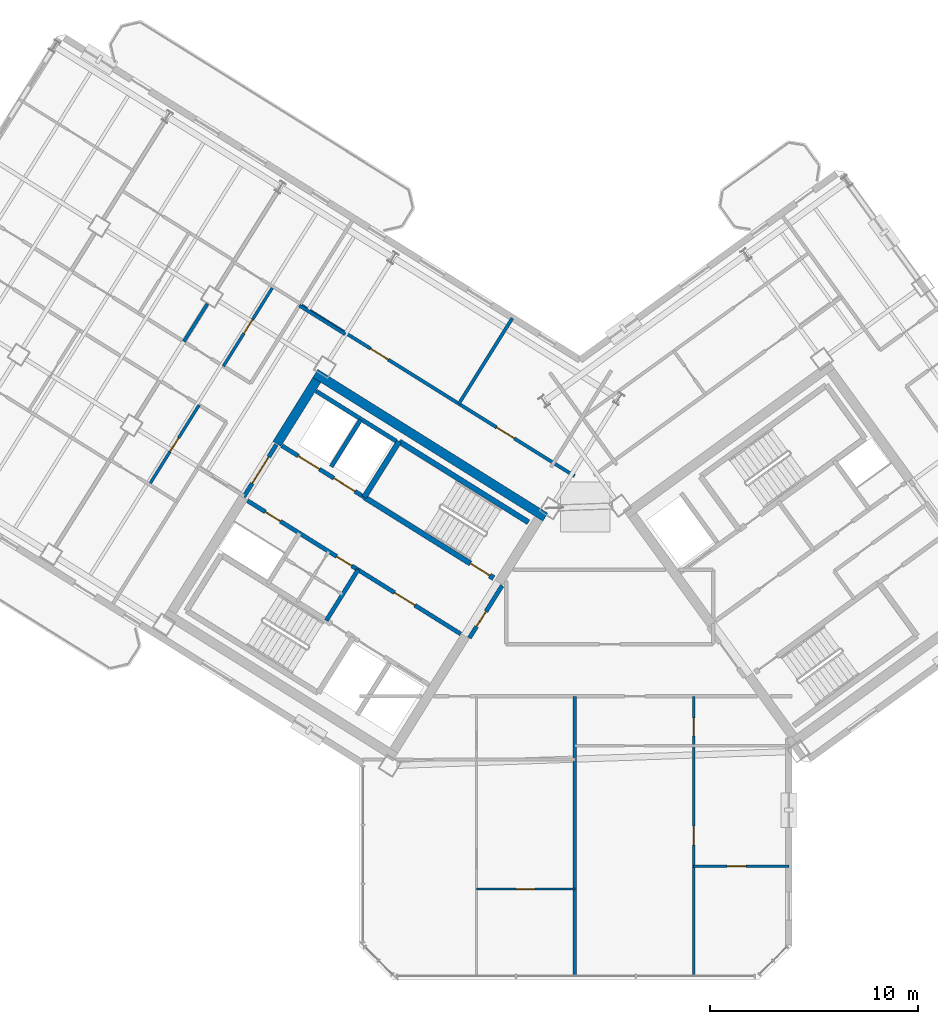
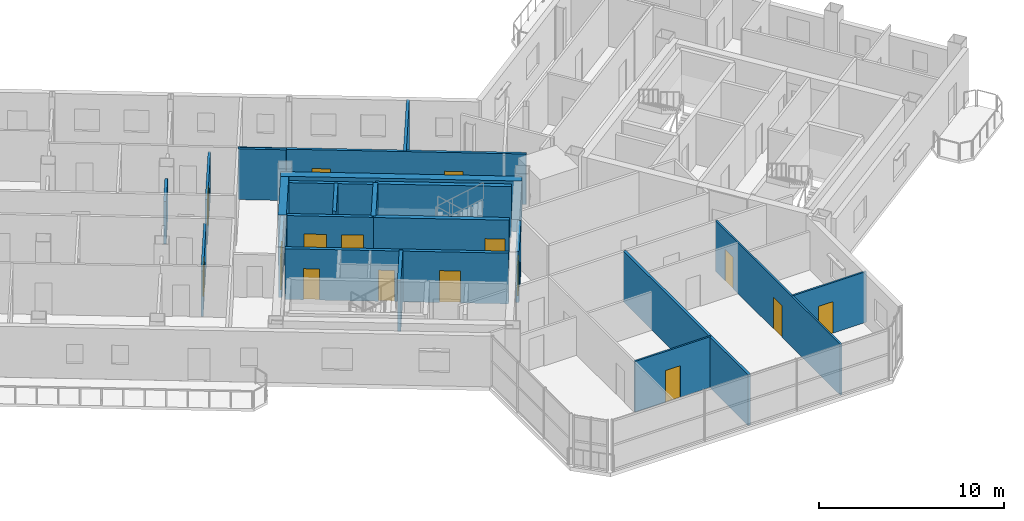
# One storey, part 14 of 23: 23 walls, 16 doors, 16 openings.
"""IFC4 building model written with IfcOpenShell, lengths in metres."""

from ifc_helpers import new_model, si_unit, direction, frame, frame_2d, origin, place, context, subcontext, project, spatial, rectangle, extrude, source, transform, mapped, material, layer, layer_set, type_object, element, fill, save


model = new_model("IFC4")

# Units and contexts
model_context = context("Model", 3, precision=1e-05, world=origin(), true_north=direction((0.0, 1.0)))
body_context = subcontext(model_context, "Body", "Model", "MODEL_VIEW")
ifc_project = project(units=[si_unit("LENGTHUNIT", "METRE"), si_unit("AREAUNIT", "SQUARE_METRE"), si_unit("VOLUMEUNIT", "CUBIC_METRE"), si_unit("PLANEANGLEUNIT", "RADIAN"), si_unit("MASSUNIT", "GRAM", prefix="KILO")], contexts=[model_context])

# Site, building, storey
site_placement = place(None, origin())
site = spatial("IfcSite", under=ifc_project, at=site_placement, CompositionType="ELEMENT")
building_placement = place(site_placement, origin())
building = spatial("IfcBuilding", under=site, at=building_placement, Name="Tlacorven Tower", CompositionType="ELEMENT")
storey_placement = place(building_placement, frame((0.0, 0.0, 218.39990234375)))
storey = spatial("IfcBuildingStorey", under=building, at=storey_placement, Name="L55", CompositionType="ELEMENT", Elevation=218.39990234375)

# Walls
ifc_material_1 = material(Name="Concrete C50/60", Category="concrete")
ifc_layer_1 = layer(ifc_material_1, 0.449951171875)
ifc_layer_set_1 = layer_set([ifc_layer_1], Name="Concrete C50/60")
wall_type_1 = type_object("IfcWallType", Name="WL-COR-450", PredefinedType="SHEAR", material=ifc_layer_set_1)
wall_1_placement = place(storey_placement, frame((40.53076171875, 24.036376953125, 0.0), z_axis=(0.0, 0.0, 1.0), x_axis=(-0.848048787466, 0.529918157905, 0.0)))
element("IfcWall", 1, at=wall_1_placement, inside=storey, type_object=wall_type_1, Name="L55 W core shear wall S1", PredefinedType="SHEAR", context=body_context, shape_type="SweptSolid", body=[
    extrude(rectangle(XDim=13.0400390625, YDim=0.449951171875, at=frame_2d((6.52001953125, 0.0))), origin(), (0.0, 0.0, 1.0), 3.35009765625),
])
wall_2_placement = place(storey_placement, frame((29.543701171875, 30.636474609375, 0.0), z_axis=(0.0, 0.0, 1.0), x_axis=(-0.529902075036, -0.848058836916, 0.0)))
element("IfcWall", 2, at=wall_2_placement, inside=storey, type_object=wall_type_1, Name="L55 W core end wall E2.1", PredefinedType="SHEAR", context=body_context, shape_type="SweptSolid", body=[
    extrude(rectangle(XDim=3.625, YDim=0.449951171875, at=frame_2d((1.8125, 0.0))), origin(), (0.0, 0.0, 1.0), 3.35009765625),
])
ifc_material_2 = material(Name="Gypsum plasterboard acoustic partition", Category="gypsum")
ifc_layer_2 = layer(ifc_material_2, 0.159912109375)
ifc_layer_set_2 = layer_set([ifc_layer_2], Name="Gypsum plasterboard acoustic partition")
wall_type_2 = type_object("IfcWallType", Name="WL-DEM-160", PredefinedType="PARTITIONING", material=ifc_layer_set_2)
wall_3_placement = place(storey_placement, frame((30.91357421875, 32.82861328125, 0.0), z_axis=(0.0, 0.0, 1.0), x_axis=(-0.848008813643, 0.529982124211, 0.0)))
element("IfcWall", 3, at=wall_3_placement, inside=storey, type_object=wall_type_2, Name="L55 partition 38", PredefinedType="PARTITIONING", context=body_context, shape_type="SweptSolid", body=[
    extrude(rectangle(XDim=2.610107421875, YDim=0.159912109375, at=frame_2d((1.30517578125, 0.0))), origin(), (0.0, 0.0, 1.0), 3.340087890625),
])
wall_4_placement = place(storey_placement, frame((24.2822265625, 34.29345703125, 0.0), z_axis=(0.0, 0.0, 1.0), x_axis=(-0.529927092104, -0.84804320471, 0.0)))
element("IfcWall", 4, at=wall_4_placement, inside=storey, type_object=wall_type_2, Name="L55 WS Demising Wall 1", PredefinedType="PARTITIONING", context=body_context, shape_type="SweptSolid", body=[
    extrude(rectangle(XDim=2.13818359375, YDim=0.159912109375, at=frame_2d((1.069091796875, 0.0))), origin(), (0.0, 0.0, 1.0), 2.8251953125),
])

# Wall, openings, doors
wall_5_placement = place(storey_placement, frame((41.93603515625, 26.011962890625, 0.0), z_axis=(0.0, 0.0, 1.0), x_axis=(-0.848051154596, 0.529914369676, 0.0)))
wall_5 = element("IfcWall", 5, at=wall_5_placement, inside=storey, type_object=wall_type_2, Name="L55 partition 58", PredefinedType="PARTITIONING", context=body_context, shape_type="SweptSolid", body=[
    extrude(rectangle(XDim=15.56982421875, YDim=0.159912109375, at=frame_2d((7.784912109375, 0.0))), origin(), (0.0, 0.0, 1.0), 3.340087890625),
])
opening_1_placement = place(wall_5_placement, frame((3.4150390625, 0.0, 0.0)))
opening_1 = element("IfcOpeningElement", 6, at=opening_1_placement, cuts=wall_5, Name="Opening D11", PredefinedType="OPENING", context=body_context, shape_type="SweptSolid", body=[
    extrude(rectangle(XDim=1.0, YDim=2.10009765625, at=frame_2d((0.5, 1.050048828125))), frame((0.0, 0.08984375, 0.0), z_axis=(0.0, -1.0, 0.0), x_axis=(1.0, 0.0, 0.0)), (0.0, 0.0, 1.0), 0.179931640625),
])
opening_2_placement = place(wall_5_placement, frame((10.56494140625, 0.0, 0.0)))
opening_2 = element("IfcOpeningElement", 7, at=opening_2_placement, cuts=wall_5, Name="Opening D11", PredefinedType="OPENING", context=body_context, shape_type="SweptSolid", body=[
    extrude(rectangle(XDim=1.0, YDim=2.10009765625, at=frame_2d((0.5, 1.050048828125))), frame((0.0, 0.08984375, 0.0), z_axis=(0.0, -1.0, 0.0), x_axis=(1.0, 0.0, 0.0)), (0.0, 0.0, 1.0), 0.179931640625),
])
ifc_material_3 = material(Name="Fire-rated steel door assembly", Category="steel")
door_type_1 = type_object("IfcDoorType", Name="DR-FLT-FD60-1000", OperationType="NOTDEFINED", PredefinedType="DOOR", material=ifc_material_3)
shared_shape_1 = source(origin(), body_context, "Body", "SweptSolid", [
    extrude(rectangle(XDim=1.0, YDim=2.10009765625, at=frame_2d((0.5, 1.050048828125))), frame((0.0, 0.02490234375, 0.0), z_axis=(0.0, -1.0, 0.0), x_axis=(1.0, 0.0, 0.0)), (0.0, 0.0, 1.0), 0.050048828125),
])
door_1_placement = place(opening_1_placement, origin())
door_1 = element("IfcDoor", 8, at=door_1_placement, inside=storey, type_object=door_type_1, Name="L55 door 038", OperationType="SINGLE_SWING_RIGHT", OverallHeight=2.10009765625, OverallWidth=1.0, PredefinedType="DOOR", context=body_context, shape_type="MappedRepresentation", body=[
    mapped(shared_shape_1, transform((0.0, 0.0, 0.0), scale=1.0)),
])
fill(opening_1, door_1)
door_2_placement = place(opening_2_placement, origin())
door_2 = element("IfcDoor", 9, at=door_2_placement, inside=storey, type_object=door_type_1, Name="L55 door 039", OperationType="SINGLE_SWING_LEFT", OverallHeight=2.10009765625, OverallWidth=1.0, PredefinedType="DOOR", context=body_context, shape_type="MappedRepresentation", body=[
    mapped(shared_shape_1, transform((0.0, 0.0, 0.0), scale=1.0)),
])
fill(opening_2, door_2)

# Walls
wall_6_placement = place(storey_placement, frame((38.943115234375, 33.60107421875, 0.0), z_axis=(0.0, 0.0, 1.0), x_axis=(-0.529949167559, -0.848029409752, 0.0)))
element("IfcWall", 10, at=wall_6_placement, inside=storey, type_object=wall_type_2, Name="L55 WC Demising Wall 1", PredefinedType="PARTITIONING", context=body_context, shape_type="SweptSolid", body=[
    extrude(rectangle(XDim=4.85009765625, YDim=0.159912109375, at=frame_2d((2.425048828125, 0.0))), origin(), (0.0, 0.0, 1.0), 3.340087890625),
])
wall_7_placement = place(storey_placement, frame((41.949951171875, 1.9599609375, 0.0), z_axis=(0.0, 0.0, 1.0), x_axis=(0.0, 1.0, 0.0)))
element("IfcWall", 11, at=wall_7_placement, inside=storey, type_object=wall_type_2, Name="L55 Knuckle Demising Wall 1", PredefinedType="PARTITIONING", context=body_context, shape_type="SweptSolid", body=[
    extrude(rectangle(XDim=13.4599609375, YDim=0.159912109375, at=frame_2d((6.72998046875, 0.0))), origin(), (0.0, 0.0, 1.0), 3.340087890625),
])

# Wall, opening, door
ifc_material_4 = material(Name="Gypsum plasterboard partition", Category="gypsum")
ifc_layer_3 = layer(ifc_material_4, 0.110107421875)
ifc_layer_set_3 = layer_set([ifc_layer_3], Name="Gypsum plasterboard partition")
wall_type_3 = type_object("IfcWallType", Name="WL-INT-110", PredefinedType="PARTITIONING", material=ifc_layer_set_3)
wall_8_placement = place(storey_placement, frame((37.221923828125, 6.14990234375, 0.0), z_axis=(0.0, 0.0, 1.0), x_axis=(1.0, 0.0, 0.0)))
wall_8 = element("IfcWall", 12, at=wall_8_placement, inside=storey, type_object=wall_type_3, Name="L55 partition 72", PredefinedType="PARTITIONING", context=body_context, shape_type="SweptSolid", body=[
    extrude(rectangle(XDim=4.72802734375, YDim=0.110107421875, at=frame_2d((2.364013671875, 0.0))), origin(), (0.0, 0.0, 1.0), 3.340087890625),
])
opening_3_placement = place(wall_8_placement, frame((1.904052734375, 0.0, 0.0)))
opening_3 = element("IfcOpeningElement", 13, at=opening_3_placement, cuts=wall_8, Name="Opening D12", PredefinedType="OPENING", context=body_context, shape_type="SweptSolid", body=[
    extrude(rectangle(XDim=0.919921875, YDim=2.080078125, at=frame_2d((0.4599609375, 1.0400390625))), frame((0.0, 0.06494140625, 0.0), z_axis=(0.0, -1.0, 0.0), x_axis=(1.0, 0.0, 0.0)), (0.0, 0.0, 1.0), 0.130126953125),
])
ifc_material_5 = material(Name="Powder-coated aluminium and timber door", Category="wood")
door_type_2 = type_object("IfcDoorType", Name="DR-INT-ROOM-0920", OperationType="NOTDEFINED", PredefinedType="DOOR", material=ifc_material_5)
shared_shape_2 = source(origin(), body_context, "Body", "SweptSolid", [
    extrude(rectangle(XDim=0.919921875, YDim=2.080078125, at=frame_2d((0.4599609375, 1.0400390625))), frame((0.0, 0.02490234375, 0.0), z_axis=(0.0, -1.0, 0.0), x_axis=(1.0, 0.0, 0.0)), (0.0, 0.0, 1.0), 0.050048828125),
])
door_3_placement = place(opening_3_placement, origin())
door_3 = element("IfcDoor", 14, at=door_3_placement, inside=storey, type_object=door_type_2, Name="L55 door 044", OperationType="SINGLE_SWING_RIGHT", OverallHeight=2.080078125, OverallWidth=0.919921875, PredefinedType="DOOR", context=body_context, shape_type="MappedRepresentation", body=[
    mapped(shared_shape_2, transform((0.0, 0.0, 0.0), scale=1.0)),
])
fill(opening_3, door_3)

# Wall, openings, doors
wall_9_placement = place(storey_placement, frame((47.6630859375, 1.9599609375, 0.0), z_axis=(0.0, 0.0, 1.0), x_axis=(0.0, 1.0, 0.0)))
wall_9 = element("IfcWall", 15, at=wall_9_placement, inside=storey, type_object=wall_type_3, Name="L55 partition 73", PredefinedType="PARTITIONING", context=body_context, shape_type="SweptSolid", body=[
    extrude(rectangle(XDim=13.4599609375, YDim=0.110107421875, at=frame_2d((6.72998046875, 0.0))), origin(), (0.0, 0.0, 1.0), 3.340087890625),
])
opening_4_placement = place(wall_9_placement, frame((6.300048828125, 0.0, 0.0)))
opening_4 = element("IfcOpeningElement", 16, at=opening_4_placement, cuts=wall_9, Name="Opening D12", PredefinedType="OPENING", context=body_context, shape_type="SweptSolid", body=[
    extrude(rectangle(XDim=0.919921875, YDim=2.080078125, at=frame_2d((0.4599609375, 1.0400390625))), frame((0.0, 0.06494140625, 0.0), z_axis=(0.0, -1.0, 0.0), x_axis=(1.0, 0.0, 0.0)), (0.0, 0.0, 1.0), 0.130126953125),
])
opening_5_placement = place(wall_9_placement, frame((11.5400390625, 0.0, 0.0)))
opening_5 = element("IfcOpeningElement", 17, at=opening_5_placement, cuts=wall_9, Name="Opening D13", PredefinedType="OPENING", context=body_context, shape_type="SweptSolid", body=[
    extrude(rectangle(XDim=0.8798828125, YDim=2.080078125, at=frame_2d((0.43994140625, 1.0400390625))), frame((0.0, 0.06494140625, 0.0), z_axis=(0.0, -1.0, 0.0), x_axis=(1.0, 0.0, 0.0)), (0.0, 0.0, 1.0), 0.130126953125),
])
door_type_3 = type_object("IfcDoorType", Name="DR-INT-WET-0880", OperationType="NOTDEFINED", PredefinedType="DOOR", material=ifc_material_5)
shared_shape_3 = source(origin(), body_context, "Body", "SweptSolid", [
    extrude(rectangle(XDim=0.8798828125, YDim=2.080078125, at=frame_2d((0.43994140625, 1.0400390625))), frame((0.0, 0.02490234375, 0.0), z_axis=(0.0, -1.0, 0.0), x_axis=(1.0, 0.0, 0.0)), (0.0, 0.0, 1.0), 0.050048828125),
])
door_4_placement = place(opening_5_placement, origin())
door_4 = element("IfcDoor", 18, at=door_4_placement, inside=storey, type_object=door_type_3, Name="L55 door 052", OperationType="SINGLE_SWING_RIGHT", OverallHeight=2.080078125, OverallWidth=0.8798828125, PredefinedType="DOOR", context=body_context, shape_type="MappedRepresentation", body=[
    mapped(shared_shape_3, transform((0.0, 0.0, 0.0), scale=1.0)),
])
fill(opening_5, door_4)
door_5_placement = place(opening_4_placement, origin())
door_5 = element("IfcDoor", 19, at=door_5_placement, inside=storey, type_object=door_type_2, Name="L55 door 048", OperationType="SINGLE_SWING_RIGHT", OverallHeight=2.080078125, OverallWidth=0.919921875, PredefinedType="DOOR", context=body_context, shape_type="MappedRepresentation", body=[
    mapped(shared_shape_2, transform((0.0, 0.0, 0.0), scale=1.0)),
])
fill(opening_4, door_5)

# Wall, opening, door
wall_10_placement = place(storey_placement, frame((47.6630859375, 7.25, 0.0), z_axis=(0.0, 0.0, 1.0), x_axis=(1.0, 0.0, 0.0)))
wall_10 = element("IfcWall", 20, at=wall_10_placement, inside=storey, type_object=wall_type_3, Name="L55 partition 76", PredefinedType="PARTITIONING", context=body_context, shape_type="SweptSolid", body=[
    extrude(rectangle(XDim=4.596923828125, YDim=0.110107421875, at=frame_2d((2.29833984375, 0.0))), origin(), (0.0, 0.0, 1.0), 3.340087890625),
])
opening_6_placement = place(wall_10_placement, frame((1.6083984375, 0.0, 0.0)))
opening_6 = element("IfcOpeningElement", 21, at=opening_6_placement, cuts=wall_10, Name="Opening D12", PredefinedType="OPENING", context=body_context, shape_type="SweptSolid", body=[
    extrude(rectangle(XDim=0.919921875, YDim=2.080078125, at=frame_2d((0.4599609375, 1.0400390625))), frame((0.0, 0.06494140625, 0.0), z_axis=(0.0, -1.0, 0.0), x_axis=(1.0, 0.0, 0.0)), (0.0, 0.0, 1.0), 0.130126953125),
])
door_6_placement = place(opening_6_placement, origin())
door_6 = element("IfcDoor", 22, at=door_6_placement, inside=storey, type_object=door_type_2, Name="L55 door 049", OperationType="SINGLE_SWING_LEFT", OverallHeight=2.080078125, OverallWidth=0.919921875, PredefinedType="DOOR", context=body_context, shape_type="MappedRepresentation", body=[
    mapped(shared_shape_2, transform((0.0, 0.0, 0.0), scale=1.0)),
])
fill(opening_6, door_6)

ifc_material_6 = material(Name="Moisture-resistant gypsum plumbing wall", Category="gypsum")
ifc_layer_4 = layer(ifc_material_6, 0.139892578125)
ifc_layer_set_4 = layer_set([ifc_layer_4], Name="Moisture-resistant gypsum plumbing wall")
wall_type_4 = type_object("IfcWallType", Name="WL-PLM-140", PredefinedType="PLUMBINGWALL", material=ifc_layer_set_4)
wall_11_placement = place(storey_placement, frame((23.883056640625, 29.427490234375, 0.0), z_axis=(0.0, 0.0, 1.0), x_axis=(-0.529950281337, -0.84802871373, 0.0)))
wall_11 = element("IfcWall", 23, at=wall_11_placement, inside=storey, type_object=wall_type_4, Name="L55 partition 47", PredefinedType="PLUMBINGWALL", context=body_context, shape_type="SweptSolid", body=[
    extrude(rectangle(XDim=4.510009765625, YDim=0.139892578125, at=frame_2d((2.2548828125, 0.0))), origin(), (0.0, 0.0, 1.0), 2.9951171875),
])
opening_7_placement = place(wall_11_placement, frame((1.864990234375, 0.0, 0.0)))
opening_7 = element("IfcOpeningElement", 24, at=opening_7_placement, cuts=wall_11, Name="Opening D22", PredefinedType="OPENING", context=body_context, shape_type="SweptSolid", body=[
    extrude(rectangle(XDim=0.780029296875, YDim=2.050048828125, at=frame_2d((0.39013671875, 1.02490234375))), frame((0.0, 0.080078125, 0.0), z_axis=(0.0, -1.0, 0.0), x_axis=(1.0, 0.0, 0.0)), (0.0, 0.0, 1.0), 0.159912109375),
])
door_type_4 = type_object("IfcDoorType", Name="DR-INT-WET-0780", OperationType="NOTDEFINED", PredefinedType="DOOR", material=ifc_material_5)
shared_shape_4 = source(origin(), body_context, "Body", "SweptSolid", [
    extrude(rectangle(XDim=0.780029296875, YDim=2.050048828125, at=frame_2d((0.39013671875, 1.02490234375))), frame((0.0, 0.02490234375, 0.0), z_axis=(0.0, -1.0, 0.0), x_axis=(1.0, 0.0, 0.0)), (0.0, 0.0, 1.0), 0.050048828125),
])
door_7_placement = place(opening_7_placement, origin())
door_7 = element("IfcDoor", 25, at=door_7_placement, inside=storey, type_object=door_type_4, Name="L55 door 025", OperationType="SINGLE_SWING_LEFT", OverallHeight=2.050048828125, OverallWidth=0.780029296875, PredefinedType="DOOR", context=body_context, shape_type="MappedRepresentation", body=[
    mapped(shared_shape_4, transform((0.0, 0.0, 0.0), scale=1.0)),
])
fill(opening_7, door_7)

wall_12_placement = place(storey_placement, frame((27.438720703125, 35.117919921875, 0.0), z_axis=(0.0, 0.0, 1.0), x_axis=(-0.529911350634, -0.84805304107, 0.0)))
wall_12 = element("IfcWall", 26, at=wall_12_placement, inside=storey, type_object=wall_type_4, Name="L55 partition 53", PredefinedType="PLUMBINGWALL", context=body_context, shape_type="SweptSolid", body=[
    extrude(rectangle(XDim=4.510009765625, YDim=0.139892578125, at=frame_2d((2.2548828125, 0.0))), origin(), (0.0, 0.0, 1.0), 2.9951171875),
])
opening_8_placement = place(wall_12_placement, frame((1.864990234375, 0.0, 0.0)))
opening_8 = element("IfcOpeningElement", 27, at=opening_8_placement, cuts=wall_12, Name="Opening D22", PredefinedType="OPENING", context=body_context, shape_type="SweptSolid", body=[
    extrude(rectangle(XDim=0.780029296875, YDim=2.050048828125, at=frame_2d((0.39013671875, 1.02490234375))), frame((0.0, 0.080078125, 0.0), z_axis=(0.0, -1.0, 0.0), x_axis=(1.0, 0.0, 0.0)), (0.0, 0.0, 1.0), 0.159912109375),
])
door_8_placement = place(opening_8_placement, origin())
door_8 = element("IfcDoor", 28, at=door_8_placement, inside=storey, type_object=door_type_4, Name="L55 door 032", OperationType="SINGLE_SWING_RIGHT", OverallHeight=2.050048828125, OverallWidth=0.780029296875, PredefinedType="DOOR", context=body_context, shape_type="MappedRepresentation", body=[
    mapped(shared_shape_4, transform((0.0, 0.0, 0.0), scale=1.0)),
])
fill(opening_8, door_8)

ifc_material_7 = material(Name="Concrete C40/50", Category="concrete")
ifc_layer_5 = layer(ifc_material_7, 0.199951171875)
ifc_layer_set_5 = layer_set([ifc_layer_5], Name="Concrete C40/50")
wall_type_5 = type_object("IfcWallType", Name="WL-SHF-200", PredefinedType="STANDARD", material=ifc_layer_set_5)
wall_13_placement = place(storey_placement, frame((36.459228515625, 18.420654296875, 0.0), z_axis=(0.0, 0.0, 1.0), x_axis=(-0.848059591691, 0.529900867089, 0.0)))
wall_13 = element("IfcWall", 29, at=wall_13_placement, inside=storey, type_object=wall_type_5, Name="L55 Core W Smoke Lobby Wall", PredefinedType="STANDARD", context=body_context, shape_type="SweptSolid", body=[
    extrude(rectangle(XDim=5.818115234375, YDim=0.199951171875, at=frame_2d((2.9091796875, 0.0))), origin(), (0.0, 0.0, 1.0), 3.340087890625),
])
opening_9_placement = place(wall_13_placement, frame((2.597900390625, 0.0, 0.0)))
opening_9 = element("IfcOpeningElement", 30, at=opening_9_placement, cuts=wall_13, Name="Opening D09", PredefinedType="OPENING", context=body_context, shape_type="SweptSolid", body=[
    extrude(rectangle(XDim=1.14990234375, YDim=2.10009765625, at=frame_2d((0.574951171875, 1.050048828125))), frame((0.0, 0.10986328125, 0.0), z_axis=(0.0, -1.0, 0.0), x_axis=(1.0, 0.0, 0.0)), (0.0, 0.0, 1.0), 0.219970703125),
])
door_type_5 = type_object("IfcDoorType", Name="DR-FFL-FD60-1150", OperationType="NOTDEFINED", PredefinedType="DOOR", material=ifc_material_3)
shared_shape_5 = source(origin(), body_context, "Body", "SweptSolid", [
    extrude(rectangle(XDim=1.14990234375, YDim=2.10009765625, at=frame_2d((0.574951171875, 1.050048828125))), frame((0.0, 0.02490234375, 0.0), z_axis=(0.0, -1.0, 0.0), x_axis=(1.0, 0.0, 0.0)), (0.0, 0.0, 1.0), 0.050048828125),
])
door_9_placement = place(opening_9_placement, origin())
door_9 = element("IfcDoor", 31, at=door_9_placement, inside=storey, type_object=door_type_5, Name="L55 Firefighting Lobby W Fire Door", OperationType="SINGLE_SWING_LEFT", OverallHeight=2.10009765625, OverallWidth=1.14990234375, PredefinedType="DOOR", context=body_context, shape_type="MappedRepresentation", body=[
    mapped(shared_shape_5, transform((0.0, 0.0, 0.0), scale=1.0)),
])
fill(opening_9, door_9)

# Wall, openings, doors
wall_14_placement = place(storey_placement, frame((31.82177734375, 24.99755859375, 0.0), z_axis=(0.0, 0.0, 1.0), x_axis=(-0.848054125777, 0.529909614701, 0.0)))
wall_14 = element("IfcWall", 32, at=wall_14_placement, inside=storey, type_object=wall_type_5, Name="L55 Core W South Lift Shaft Wall", PredefinedType="STANDARD", context=body_context, shape_type="SweptSolid", body=[
    extrude(rectangle(XDim=4.66796875, YDim=0.199951171875, at=frame_2d((2.333984375, 0.0))), origin(), (0.0, 0.0, 1.0), 3.340087890625),
])
opening_10_placement = place(wall_14_placement, frame((0.52001953125, 0.0, 0.0)))
opening_10 = element("IfcOpeningElement", 33, at=opening_10_placement, cuts=wall_14, Name="Opening LD02", PredefinedType="OPENING", context=body_context, shape_type="SweptSolid", body=[
    extrude(rectangle(XDim=1.199951171875, YDim=2.14990234375, at=frame_2d((0.60009765625, 1.074951171875))), frame((0.0, 0.10986328125, 0.0), z_axis=(0.0, -1.0, 0.0), x_axis=(1.0, 0.0, 0.0)), (0.0, 0.0, 1.0), 0.219970703125),
])
opening_11_placement = place(wall_14_placement, frame((2.5400390625, 0.0, 0.0)))
opening_11 = element("IfcOpeningElement", 34, at=opening_11_placement, cuts=wall_14, Name="Opening LD02", PredefinedType="OPENING", context=body_context, shape_type="SweptSolid", body=[
    extrude(rectangle(XDim=1.199951171875, YDim=2.14990234375, at=frame_2d((0.60009765625, 1.074951171875))), frame((0.0, 0.10986328125, 0.0), z_axis=(0.0, -1.0, 0.0), x_axis=(1.0, 0.0, 0.0)), (0.0, 0.0, 1.0), 0.219970703125),
])
door_type_6 = type_object("IfcDoorType", Name="DR-LFT-SLID-1200", OperationType="DOUBLE_DOOR_SLIDING", PredefinedType="DOOR", material=ifc_material_3)
shared_shape_6 = source(origin(), body_context, "Body", "SweptSolid", [
    extrude(rectangle(XDim=1.199951171875, YDim=2.14990234375, at=frame_2d((0.60009765625, 1.074951171875))), frame((0.0, 0.02490234375, 0.0), z_axis=(0.0, -1.0, 0.0), x_axis=(1.0, 0.0, 0.0)), (0.0, 0.0, 1.0), 0.050048828125),
])
door_10_placement = place(opening_10_placement, origin())
door_10 = element("IfcDoor", 35, at=door_10_placement, inside=storey, type_object=door_type_6, Name="L55 Lift PL-H1 Sliding Landing Door", OperationType="DOUBLE_DOOR_SLIDING", OverallHeight=2.14990234375, OverallWidth=1.199951171875, PredefinedType="DOOR", context=body_context, shape_type="MappedRepresentation", body=[
    mapped(shared_shape_6, transform((0.0, 0.0, 0.0), scale=1.0)),
])
fill(opening_10, door_10)
door_11_placement = place(opening_11_placement, origin())
door_11 = element("IfcDoor", 36, at=door_11_placement, inside=storey, type_object=door_type_6, Name="L55 Lift PL-H2 Sliding Landing Door", OperationType="DOUBLE_DOOR_SLIDING", OverallHeight=2.14990234375, OverallWidth=1.199951171875, PredefinedType="DOOR", context=body_context, shape_type="MappedRepresentation", body=[
    mapped(shared_shape_6, transform((0.0, 0.0, 0.0), scale=1.0)),
])
fill(opening_11, door_11)

# Walls
wall_15_placement = place(storey_placement, frame((31.645263671875, 28.716064453125, 0.0), z_axis=(0.0, 0.0, 1.0), x_axis=(-0.52986693015, -0.848080795876, 0.0)))
element("IfcWall", 37, at=wall_15_placement, inside=storey, type_object=wall_type_5, Name="L55 partition 12", PredefinedType="STANDARD", context=body_context, shape_type="SweptSolid", body=[
    extrude(rectangle(XDim=2.659912109375, YDim=0.199951171875, at=frame_2d((1.330078125, 0.0))), origin(), (0.0, 0.0, 1.0), 3.340087890625),
])
wall_16_placement = place(storey_placement, frame((33.362548828125, 27.690185546875, 0.0), z_axis=(0.0, 0.0, 1.0), x_axis=(-0.84804957148, 0.529916903215, 0.0)))
element("IfcWall", 38, at=wall_16_placement, inside=storey, type_object=wall_type_5, Name="L55 partition 14", PredefinedType="STANDARD", context=body_context, shape_type="SweptSolid", body=[
    extrude(rectangle(XDim=4.547607421875, YDim=0.199951171875, at=frame_2d((2.27392578125, 0.0))), origin(), (0.0, 0.0, 1.0), 3.340087890625),
])
wall_17_placement = place(storey_placement, frame((31.525146484375, 21.503662109375, 0.0), z_axis=(0.0, 0.0, 1.0), x_axis=(-0.529907497854, -0.848055448493, 0.0)))
element("IfcWall", 39, at=wall_17_placement, inside=storey, type_object=wall_type_5, Name="L55 partition 15", PredefinedType="STANDARD", context=body_context, shape_type="SweptSolid", body=[
    extrude(rectangle(XDim=2.8798828125, YDim=0.199951171875, at=frame_2d((1.43994140625, 0.0))), origin(), (0.0, 0.0, 1.0), 3.340087890625),
])

# Wall, openings, doors
wall_18_placement = place(storey_placement, frame((31.525146484375, 21.503662109375, 0.0), z_axis=(0.0, 0.0, 1.0), x_axis=(-0.848042066329, 0.529928913853, 0.0)))
wall_18 = element("IfcWall", 40, at=wall_18_placement, inside=storey, type_object=wall_type_5, Name="L55 Core W North Service Wall", PredefinedType="STANDARD", context=body_context, shape_type="SweptSolid", body=[
    extrude(rectangle(XDim=6.267822265625, YDim=0.199951171875, at=frame_2d((3.1337890625, 0.0))), origin(), (0.0, 0.0, 1.0), 3.340087890625),
])
opening_12_placement = place(wall_18_placement, frame((4.39990234375, 0.0, 0.0)))
opening_12 = element("IfcOpeningElement", 41, at=opening_12_placement, cuts=wall_18, Name="Opening D19", PredefinedType="OPENING", context=body_context, shape_type="SweptSolid", body=[
    extrude(rectangle(XDim=0.860107421875, YDim=2.050048828125, at=frame_2d((0.43017578125, 1.02490234375))), frame((0.0, 0.10986328125, 0.0), z_axis=(0.0, -1.0, 0.0), x_axis=(1.0, 0.0, 0.0)), (0.0, 0.0, 1.0), 0.219970703125),
])
opening_13_placement = place(wall_18_placement, frame((0.35009765625, 0.0, 0.0)))
opening_13 = element("IfcOpeningElement", 42, at=opening_13_placement, cuts=wall_18, Name="Opening D19", PredefinedType="OPENING", context=body_context, shape_type="SweptSolid", body=[
    extrude(rectangle(XDim=0.860107421875, YDim=2.050048828125, at=frame_2d((0.43017578125, 1.02490234375))), frame((0.0, 0.10986328125, 0.0), z_axis=(0.0, -1.0, 0.0), x_axis=(1.0, 0.0, 0.0)), (0.0, 0.0, 1.0), 0.219970703125),
])
door_type_7 = type_object("IfcDoorType", Name="DR-RSR-FD60-0860", OperationType="NOTDEFINED", PredefinedType="DOOR", material=ifc_material_3)
shared_shape_7 = source(origin(), body_context, "Body", "SweptSolid", [
    extrude(rectangle(XDim=0.860107421875, YDim=2.050048828125, at=frame_2d((0.43017578125, 1.02490234375))), frame((0.0, 0.02490234375, 0.0), z_axis=(0.0, -1.0, 0.0), x_axis=(1.0, 0.0, 0.0)), (0.0, 0.0, 1.0), 0.050048828125),
])
door_12_placement = place(opening_12_placement, frame((0.860107421875, 0.0, 0.0), z_axis=(0.0, 0.0, 1.0), x_axis=(-1.0, 0.0, 0.0)))
door_12 = element("IfcDoor", 43, at=door_12_placement, inside=storey, type_object=door_type_7, Name="L55 Electrical Riser Access Door W", OperationType="SINGLE_SWING_RIGHT", OverallHeight=2.050048828125, OverallWidth=0.860107421875, PredefinedType="DOOR", context=body_context, shape_type="MappedRepresentation", body=[
    mapped(shared_shape_7, transform((0.0, 0.0, 0.0), scale=1.0)),
])
fill(opening_12, door_12)
door_13_placement = place(opening_13_placement, frame((0.860107421875, 0.0, 0.0), z_axis=(0.0, 0.0, 1.0), x_axis=(-1.0, 0.0, 0.0)))
door_13 = element("IfcDoor", 44, at=door_13_placement, inside=storey, type_object=door_type_7, Name="L55 Cleaning Room Access Door W", OperationType="SINGLE_SWING_LEFT", OverallHeight=2.050048828125, OverallWidth=0.860107421875, PredefinedType="DOOR", context=body_context, shape_type="MappedRepresentation", body=[
    mapped(shared_shape_7, transform((0.0, 0.0, 0.0), scale=1.0)),
])
fill(opening_13, door_13)

# Wall, opening, door
wall_19_placement = place(storey_placement, frame((27.59619140625, 27.52001953125, 0.0), z_axis=(0.0, 0.0, 1.0), x_axis=(-0.529865479138, -0.848081702443, 0.0)))
wall_19 = element("IfcWall", 45, at=wall_19_placement, inside=storey, type_object=wall_type_5, Name="L55 partition 37", PredefinedType="STANDARD", context=body_context, shape_type="SweptSolid", body=[
    extrude(rectangle(XDim=2.9599609375, YDim=0.199951171875, at=frame_2d((1.47998046875, 0.0))), origin(), (0.0, 0.0, 1.0), 3.340087890625),
])
opening_14_placement = place(wall_19_placement, frame((0.699951171875, 0.0, 0.0)))
opening_14 = element("IfcOpeningElement", 46, at=opening_14_placement, cuts=wall_19, Name="Opening D10", PredefinedType="OPENING", context=body_context, shape_type="SweptSolid", body=[
    extrude(rectangle(XDim=1.5, YDim=2.14990234375, at=frame_2d((0.75, 1.074951171875))), frame((0.0, 0.10986328125, 0.0), z_axis=(0.0, -1.0, 0.0), x_axis=(1.0, 0.0, 0.0)), (0.0, 0.0, 1.0), 0.219970703125),
])
door_type_8 = type_object("IfcDoorType", Name="DR-LOB-FD60-1500", OperationType="DOUBLE_DOOR_SINGLE_SWING", PredefinedType="DOOR", material=ifc_material_3)
shared_shape_8 = source(origin(), body_context, "Body", "SweptSolid", [
    extrude(rectangle(XDim=1.5, YDim=2.14990234375, at=frame_2d((0.75, 1.074951171875))), frame((0.0, 0.02490234375, 0.0), z_axis=(0.0, -1.0, 0.0), x_axis=(1.0, 0.0, 0.0)), (0.0, 0.0, 1.0), 0.050048828125),
])
door_14_placement = place(opening_14_placement, origin())
door_14 = element("IfcDoor", 47, at=door_14_placement, inside=storey, type_object=door_type_8, Name="L55 door 022", OperationType="DOUBLE_DOOR_SINGLE_SWING", OverallHeight=2.14990234375, OverallWidth=1.5, PredefinedType="DOOR", context=body_context, shape_type="MappedRepresentation", body=[
    mapped(shared_shape_8, transform((0.0, 0.0, 0.0), scale=1.0)),
])
fill(opening_14, door_14)

wall_20_placement = place(storey_placement, frame((38.451416015625, 20.737060546875, 0.0), z_axis=(0.0, 0.0, 1.0), x_axis=(-0.529924799939, -0.848044637038, 0.0)))
wall_20 = element("IfcWall", 48, at=wall_20_placement, inside=storey, type_object=wall_type_5, Name="L55 partition 61", PredefinedType="STANDARD", context=body_context, shape_type="SweptSolid", body=[
    extrude(rectangle(XDim=2.9599609375, YDim=0.199951171875, at=frame_2d((1.47998046875, 0.0))), origin(), (0.0, 0.0, 1.0), 3.340087890625),
])
opening_15_placement = place(wall_20_placement, frame((1.4599609375, 0.0, 0.0)))
opening_15 = element("IfcOpeningElement", 49, at=opening_15_placement, cuts=wall_20, Name="Opening D19", PredefinedType="OPENING", context=body_context, shape_type="SweptSolid", body=[
    extrude(rectangle(XDim=0.860107421875, YDim=2.050048828125, at=frame_2d((0.43017578125, 1.02490234375))), frame((0.0, 0.10986328125, 0.0), z_axis=(0.0, -1.0, 0.0), x_axis=(1.0, 0.0, 0.0)), (0.0, 0.0, 1.0), 0.219970703125),
])
door_15_placement = place(opening_15_placement, frame((0.860107421875, 0.0, 0.0), z_axis=(0.0, 0.0, 1.0), x_axis=(-1.0, 0.0, 0.0)))
door_15 = element("IfcDoor", 50, at=door_15_placement, inside=storey, type_object=door_type_7, Name="L55 door 041", OperationType="SINGLE_SWING_LEFT", OverallHeight=2.050048828125, OverallWidth=0.860107421875, PredefinedType="DOOR", context=body_context, shape_type="MappedRepresentation", body=[
    mapped(shared_shape_7, transform((0.0, 0.0, 0.0), scale=1.0)),
])
fill(opening_15, door_15)

# Wall
ifc_layer_6 = layer(ifc_material_1, 0.260009765625)
ifc_layer_set_6 = layer_set([ifc_layer_6], Name="Concrete C50/60")
wall_type_6 = type_object("IfcWallType", Name="WL-STW-260", PredefinedType="SHEAR", material=ifc_layer_set_6)
wall_21_placement = place(storey_placement, frame((39.720947265625, 23.787841796875, 0.0), z_axis=(0.0, 0.0, 1.0), x_axis=(-0.848054434086, 0.529909121291, 0.0)))
element("IfcWall", 51, at=wall_21_placement, inside=storey, type_object=wall_type_6, Name="L55 Stair W2 Far Shear Wall", PredefinedType="SHEAR", context=body_context, shape_type="SweptSolid", body=[
    extrude(rectangle(XDim=7.330078125, YDim=0.260009765625, at=frame_2d((3.6650390625, 0.0))), origin(), (0.0, 0.0, 1.0), 3.35009765625),
])

# Wall, opening, door
wall_22_placement = place(storey_placement, frame((38.04638671875, 21.10791015625, 0.0), z_axis=(0.0, 0.0, 1.0), x_axis=(-0.848054434086, 0.529909121291, 0.0)))
wall_22 = element("IfcWall", 52, at=wall_22_placement, inside=storey, type_object=wall_type_6, Name="L55 Stair W2 Lobby Shear Wall", PredefinedType="SHEAR", context=body_context, shape_type="SweptSolid", body=[
    extrude(rectangle(XDim=7.330078125, YDim=0.260009765625, at=frame_2d((3.6650390625, 0.0))), origin(), (0.0, 0.0, 1.0), 3.35009765625),
])
opening_16_placement = place(wall_22_placement, frame((0.219970703125, 0.0, 0.0)))
opening_16 = element("IfcOpeningElement", 53, at=opening_16_placement, cuts=wall_22, Name="Opening D07", PredefinedType="OPENING", context=body_context, shape_type="SweptSolid", body=[
    extrude(rectangle(XDim=1.10009765625, YDim=2.10009765625, at=frame_2d((0.550048828125, 1.050048828125))), frame((0.0, 0.14013671875, 0.0), z_axis=(0.0, -1.0, 0.0), x_axis=(1.0, 0.0, 0.0)), (0.0, 0.0, 1.0), 0.280029296875),
])
door_type_9 = type_object("IfcDoorType", Name="DR-STR-FD90-1100", OperationType="NOTDEFINED", PredefinedType="DOOR", material=ifc_material_3)
shared_shape_9 = source(origin(), body_context, "Body", "SweptSolid", [
    extrude(rectangle(XDim=1.10009765625, YDim=2.10009765625, at=frame_2d((0.550048828125, 1.050048828125))), frame((0.0, 0.02490234375, 0.0), z_axis=(0.0, -1.0, 0.0), x_axis=(1.0, 0.0, 0.0)), (0.0, 0.0, 1.0), 0.050048828125),
])
door_16_placement = place(opening_16_placement, origin())
door_16 = element("IfcDoor", 54, at=door_16_placement, inside=storey, type_object=door_type_9, Name="L55 Exit Stair W2 Fire Door", OperationType="SINGLE_SWING_RIGHT", OverallHeight=2.10009765625, OverallWidth=1.10009765625, PredefinedType="DOOR", context=body_context, shape_type="MappedRepresentation", body=[
    mapped(shared_shape_9, transform((0.0, 0.0, 0.0), scale=1.0)),
])
fill(opening_16, door_16)

# Wall
wall_23_placement = place(storey_placement, frame((33.496337890625, 27.677490234375, 0.0), z_axis=(0.0, 0.0, 1.0), x_axis=(-0.529908658664, -0.84805472316, 0.0)))
element("IfcWall", 55, at=wall_23_placement, inside=storey, type_object=wall_type_6, Name="L55 Stair W2 East Shear Wall", PredefinedType="SHEAR", context=body_context, shape_type="SweptSolid", body=[
    extrude(rectangle(XDim=3.16015625, YDim=0.260009765625, at=frame_2d((1.580078125, 0.0))), origin(), (0.0, 0.0, 1.0), 3.35009765625),
])

save(model, "model.ifc")
